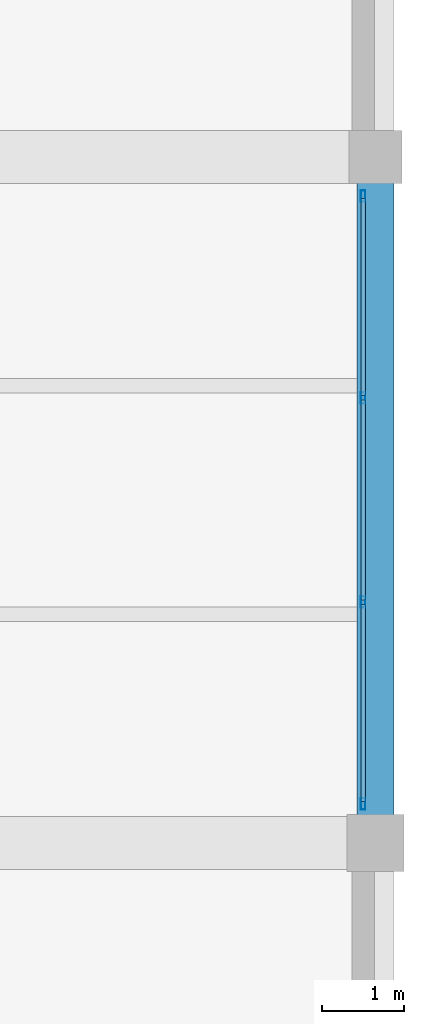
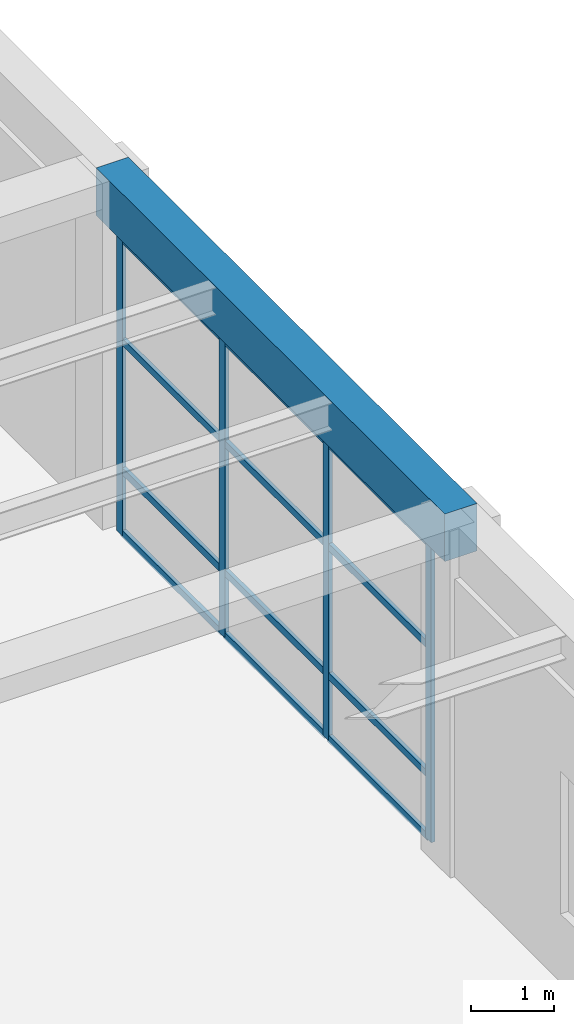
# One storey, part 36 of 65: 16 members, 1 beam, 1 element without a shape of its own.
"""IFC4 building model written with IfcOpenShell, lengths in metres."""

from ifc_helpers import new_model, si_unit, direction, frame, origin, origin_2d, place, context, subcontext, project, spatial, rectangle, hollow_rectangle, extrude, material, material_profile, profile_set, type_object, element, aggregate, save


model = new_model("IFC4")

# Units and contexts
model_context = context("Model", 3, precision=1e-05, world=origin(), true_north=direction((0.0, 1.0)))
body_context = subcontext(model_context, "Body", "Model", "MODEL_VIEW")
ifc_project = project(units=[si_unit("LENGTHUNIT", "METRE"), si_unit("AREAUNIT", "SQUARE_METRE"), si_unit("VOLUMEUNIT", "CUBIC_METRE"), si_unit("PLANEANGLEUNIT", "RADIAN"), si_unit("MASSUNIT", "GRAM", prefix="KILO")], contexts=[model_context])

# Site, building, storey
site_placement = place(None, origin())
site = spatial("IfcSite", under=ifc_project, at=site_placement, CompositionType="ELEMENT")
building_placement = place(site_placement, origin())
building = spatial("IfcBuilding", under=site, at=building_placement, Name="Almacenes y Pasaje Nevantli", CompositionType="ELEMENT")
storey_placement = place(building_placement, frame((0.0, 0.0, 16.800048828125)))
storey = spatial("IfcBuildingStorey", under=building, at=storey_placement, Name="L04", CompositionType="ELEMENT", Elevation=16.800048828125)

# Beam
ifc_material_1 = material(Name="Concrete C35/45", Category="concrete")
ifc_material_profile_1 = material_profile(ifc_material_1, rectangle(XDim=0.449951171875, YDim=0.699951171875, at=origin_2d()), Name="RC-BM-450x700")
ifc_profile_set_1 = profile_set([ifc_material_profile_1], Name="Concrete C35/45")
beam_type = type_object("IfcBeamType", Name="BM-RC-450x700", PredefinedType="SPANDREL", material=ifc_profile_set_1)
beam_placement = place(storey_placement, frame((168.0, 84.0, 4.75), z_axis=(0.0, 1.0, 0.0), x_axis=(-1.0, 0.0, 0.0)))
element("IfcBeam", 1, at=beam_placement, inside=storey, type_object=beam_type, Name="L04 North-South Reinforced Concrete Beam #3225", PredefinedType="SPANDREL", context=body_context, shape_type="SweptSolid", body=[
    extrude(rectangle(XDim=0.449951171875, YDim=0.699951171875, at=origin_2d()), origin(), (0.0, 0.0, 1.0), 8.39990234375),
])

# Curtain wall, members
ifc_material_2 = material(Name="Thermally Broken Aluminium and Low-E Glass", Category="aluminium")
curtain_wall_type = type_object("IfcCurtainWallType", Name="CW-UNIT-PODIUM", PredefinedType="USERDEFINED", material=ifc_material_2)
curtain_wall_placement = place(storey_placement, origin())
curtain_wall = element("IfcCurtainWall", 2, at=curtain_wall_placement, inside=storey, type_object=curtain_wall_type, Name="L04 East Office Wing Curtain Wall Bay 11", ObjectType="UNITIZED CURTAIN WALL", PredefinedType="USERDEFINED")
ifc_material_3 = material(Name="Thermally Broken Anodized Aluminium", Category="aluminium")
ifc_material_profile_2 = material_profile(ifc_material_3, hollow_rectangle(XDim=0.054931640625, YDim=0.139892578125, WallThickness=0.00341796875, at=origin_2d()), Name="ALU-MUL-55x140")
ifc_profile_set_2 = profile_set([ifc_material_profile_2], Name="Thermally Broken Anodized Aluminium")
member_type_1 = type_object("IfcMemberType", Name="CW-MUL-160", PredefinedType="MULLION", material=ifc_profile_set_2)
member_1_placement = place(storey_placement, frame((167.85009765625, 84.4775390625, 0.0), z_axis=(0.0, 0.0, 1.0), x_axis=(-1.0, 0.0, 0.0)))
member_1 = element("IfcMember", 3, at=member_1_placement, type_object=member_type_1, Name="CW-L04-081 mullion 1", PredefinedType="MULLION", context=body_context, shape_type="SweptSolid", body=[
    extrude(hollow_rectangle(XDim=0.054931640625, YDim=0.139892578125, WallThickness=0.00341796875, at=origin_2d()), origin(), (0.0, 0.0, 1.0), 4.3798828125),
])
member_2_placement = place(storey_placement, frame((167.85009765625, 86.949951171875, 0.0), z_axis=(0.0, 0.0, 1.0), x_axis=(-1.0, 0.0, 0.0)))
member_2 = element("IfcMember", 4, at=member_2_placement, type_object=member_type_1, Name="CW-L04-081 mullion 2", PredefinedType="MULLION", context=body_context, shape_type="SweptSolid", body=[
    extrude(hollow_rectangle(XDim=0.054931640625, YDim=0.139892578125, WallThickness=0.00341796875, at=origin_2d()), origin(), (0.0, 0.0, 1.0), 4.3798828125),
])
member_3_placement = place(storey_placement, frame((167.85009765625, 89.449951171875, 0.0), z_axis=(0.0, 0.0, 1.0), x_axis=(-1.0, 0.0, 0.0)))
member_3 = element("IfcMember", 5, at=member_3_placement, type_object=member_type_1, Name="CW-L04-081 mullion 3", PredefinedType="MULLION", context=body_context, shape_type="SweptSolid", body=[
    extrude(hollow_rectangle(XDim=0.054931640625, YDim=0.139892578125, WallThickness=0.00341796875, at=origin_2d()), origin(), (0.0, 0.0, 1.0), 4.3798828125),
])
member_4_placement = place(storey_placement, frame((167.85009765625, 91.922607421875, 0.0), z_axis=(0.0, 0.0, 1.0), x_axis=(-1.0, 0.0, 0.0)))
member_4 = element("IfcMember", 6, at=member_4_placement, type_object=member_type_1, Name="CW-L04-081 mullion 4", PredefinedType="MULLION", context=body_context, shape_type="SweptSolid", body=[
    extrude(hollow_rectangle(XDim=0.054931640625, YDim=0.139892578125, WallThickness=0.00341796875, at=origin_2d()), origin(), (0.0, 0.0, 1.0), 4.3798828125),
])
ifc_material_4 = material(Name="Thermally Broken Anodized Aluminium", Category="aluminium")
ifc_material_profile_3 = material_profile(ifc_material_4, hollow_rectangle(XDim=0.054931640625, YDim=0.10498046875, WallThickness=0.003173828125, at=origin_2d()), Name="ALU-TRN-55x105")
ifc_profile_set_3 = profile_set([ifc_material_profile_3], Name="Thermally Broken Anodized Aluminium")
member_type_2 = type_object("IfcMemberType", Name="CW-TRN-120", PredefinedType="USERDEFINED", material=ifc_profile_set_3)
member_5_placement = place(storey_placement, frame((167.85009765625, 84.5048828125, 0.02734375), z_axis=(0.0, 1.0, 0.0), x_axis=(-1.0, 0.0, 0.0)))
member_5 = element("IfcMember", 7, at=member_5_placement, type_object=member_type_2, Name="CW-L04-081 transom 1.1", ObjectType="TRANSOM", PredefinedType="USERDEFINED", context=body_context, shape_type="SweptSolid", body=[
    extrude(hollow_rectangle(XDim=0.054931640625, YDim=0.10498046875, WallThickness=0.003173828125, at=origin_2d()), origin(), (0.0, 0.0, 1.0), 2.417724609375),
])
member_6_placement = place(storey_placement, frame((167.85009765625, 84.5048828125, 0.949951171875), z_axis=(0.0, 1.0, 0.0), x_axis=(-1.0, 0.0, 0.0)))
member_6 = element("IfcMember", 8, at=member_6_placement, type_object=member_type_2, Name="CW-L04-081 transom 1.2", ObjectType="TRANSOM", PredefinedType="USERDEFINED", context=body_context, shape_type="SweptSolid", body=[
    extrude(hollow_rectangle(XDim=0.054931640625, YDim=0.10498046875, WallThickness=0.003173828125, at=origin_2d()), origin(), (0.0, 0.0, 1.0), 2.417724609375),
])
member_7_placement = place(storey_placement, frame((167.85009765625, 84.5048828125, 2.849853515625), z_axis=(0.0, 1.0, 0.0), x_axis=(-1.0, 0.0, 0.0)))
member_7 = element("IfcMember", 9, at=member_7_placement, type_object=member_type_2, Name="CW-L04-081 transom 1.3", ObjectType="TRANSOM", PredefinedType="USERDEFINED", context=body_context, shape_type="SweptSolid", body=[
    extrude(hollow_rectangle(XDim=0.054931640625, YDim=0.10498046875, WallThickness=0.003173828125, at=origin_2d()), origin(), (0.0, 0.0, 1.0), 2.417724609375),
])
member_8_placement = place(storey_placement, frame((167.85009765625, 84.5048828125, 4.3525390625), z_axis=(0.0, 1.0, 0.0), x_axis=(-1.0, 0.0, 0.0)))
member_8 = element("IfcMember", 10, at=member_8_placement, type_object=member_type_2, Name="CW-L04-081 transom 1.4", ObjectType="TRANSOM", PredefinedType="USERDEFINED", context=body_context, shape_type="SweptSolid", body=[
    extrude(hollow_rectangle(XDim=0.054931640625, YDim=0.10498046875, WallThickness=0.003173828125, at=origin_2d()), origin(), (0.0, 0.0, 1.0), 2.417724609375),
])
member_9_placement = place(storey_placement, frame((167.85009765625, 86.9775390625, 0.02734375), z_axis=(0.0, 1.0, 0.0), x_axis=(-1.0, 0.0, 0.0)))
member_9 = element("IfcMember", 11, at=member_9_placement, type_object=member_type_2, Name="CW-L04-081 transom 2.1", ObjectType="TRANSOM", PredefinedType="USERDEFINED", context=body_context, shape_type="SweptSolid", body=[
    extrude(hollow_rectangle(XDim=0.054931640625, YDim=0.10498046875, WallThickness=0.003173828125, at=origin_2d()), origin(), (0.0, 0.0, 1.0), 2.445068359375),
])
member_10_placement = place(storey_placement, frame((167.85009765625, 86.9775390625, 0.949951171875), z_axis=(0.0, 1.0, 0.0), x_axis=(-1.0, 0.0, 0.0)))
member_10 = element("IfcMember", 12, at=member_10_placement, type_object=member_type_2, Name="CW-L04-081 transom 2.2", ObjectType="TRANSOM", PredefinedType="USERDEFINED", context=body_context, shape_type="SweptSolid", body=[
    extrude(hollow_rectangle(XDim=0.054931640625, YDim=0.10498046875, WallThickness=0.003173828125, at=origin_2d()), origin(), (0.0, 0.0, 1.0), 2.445068359375),
])
member_11_placement = place(storey_placement, frame((167.85009765625, 86.9775390625, 2.849853515625), z_axis=(0.0, 1.0, 0.0), x_axis=(-1.0, 0.0, 0.0)))
member_11 = element("IfcMember", 13, at=member_11_placement, type_object=member_type_2, Name="CW-L04-081 transom 2.3", ObjectType="TRANSOM", PredefinedType="USERDEFINED", context=body_context, shape_type="SweptSolid", body=[
    extrude(hollow_rectangle(XDim=0.054931640625, YDim=0.10498046875, WallThickness=0.003173828125, at=origin_2d()), origin(), (0.0, 0.0, 1.0), 2.445068359375),
])
member_12_placement = place(storey_placement, frame((167.85009765625, 86.9775390625, 4.3525390625), z_axis=(0.0, 1.0, 0.0), x_axis=(-1.0, 0.0, 0.0)))
member_12 = element("IfcMember", 14, at=member_12_placement, type_object=member_type_2, Name="CW-L04-081 transom 2.4", ObjectType="TRANSOM", PredefinedType="USERDEFINED", context=body_context, shape_type="SweptSolid", body=[
    extrude(hollow_rectangle(XDim=0.054931640625, YDim=0.10498046875, WallThickness=0.003173828125, at=origin_2d()), origin(), (0.0, 0.0, 1.0), 2.445068359375),
])
member_13_placement = place(storey_placement, frame((167.85009765625, 89.4775390625, 0.02734375), z_axis=(0.0, 1.0, 0.0), x_axis=(-1.0, 0.0, 0.0)))
member_13 = element("IfcMember", 15, at=member_13_placement, type_object=member_type_2, Name="CW-L04-081 transom 3.1", ObjectType="TRANSOM", PredefinedType="USERDEFINED", context=body_context, shape_type="SweptSolid", body=[
    extrude(hollow_rectangle(XDim=0.054931640625, YDim=0.10498046875, WallThickness=0.003173828125, at=origin_2d()), origin(), (0.0, 0.0, 1.0), 2.41748046875),
])
member_14_placement = place(storey_placement, frame((167.85009765625, 89.4775390625, 0.949951171875), z_axis=(0.0, 1.0, 0.0), x_axis=(-1.0, 0.0, 0.0)))
member_14 = element("IfcMember", 16, at=member_14_placement, type_object=member_type_2, Name="CW-L04-081 transom 3.2", ObjectType="TRANSOM", PredefinedType="USERDEFINED", context=body_context, shape_type="SweptSolid", body=[
    extrude(hollow_rectangle(XDim=0.054931640625, YDim=0.10498046875, WallThickness=0.003173828125, at=origin_2d()), origin(), (0.0, 0.0, 1.0), 2.41748046875),
])
member_15_placement = place(storey_placement, frame((167.85009765625, 89.4775390625, 2.849853515625), z_axis=(0.0, 1.0, 0.0), x_axis=(-1.0, 0.0, 0.0)))
member_15 = element("IfcMember", 17, at=member_15_placement, type_object=member_type_2, Name="CW-L04-081 transom 3.3", ObjectType="TRANSOM", PredefinedType="USERDEFINED", context=body_context, shape_type="SweptSolid", body=[
    extrude(hollow_rectangle(XDim=0.054931640625, YDim=0.10498046875, WallThickness=0.003173828125, at=origin_2d()), origin(), (0.0, 0.0, 1.0), 2.41748046875),
])
member_16_placement = place(storey_placement, frame((167.85009765625, 89.4775390625, 4.3525390625), z_axis=(0.0, 1.0, 0.0), x_axis=(-1.0, 0.0, 0.0)))
member_16 = element("IfcMember", 18, at=member_16_placement, type_object=member_type_2, Name="CW-L04-081 transom 3.4", ObjectType="TRANSOM", PredefinedType="USERDEFINED", context=body_context, shape_type="SweptSolid", body=[
    extrude(hollow_rectangle(XDim=0.054931640625, YDim=0.10498046875, WallThickness=0.003173828125, at=origin_2d()), origin(), (0.0, 0.0, 1.0), 2.41748046875),
])
aggregate(curtain_wall, [member_1, member_2, member_3, member_4, member_5, member_6, member_7, member_8, member_9, member_10, member_11, member_12, member_13, member_14, member_15, member_16])

save(model, "model.ifc")
